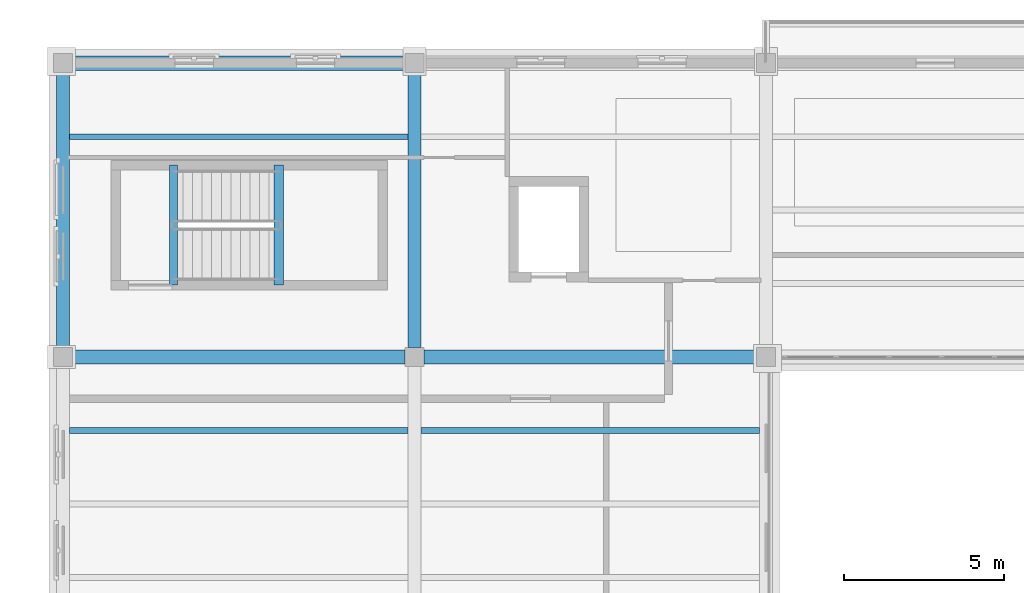
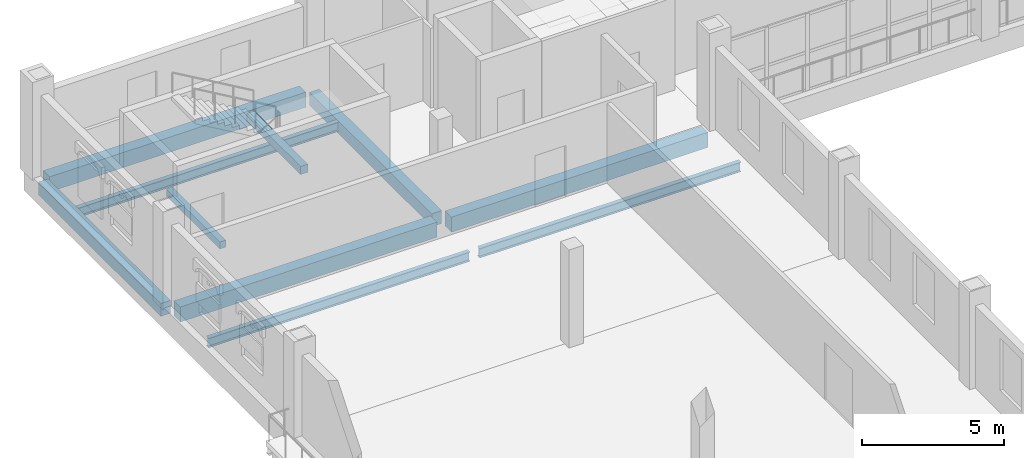
# One storey, part 60 of 120: 10 beams.
"""IFC4 building model written with IfcOpenShell, lengths in metres."""

from ifc_helpers import new_model, si_unit, direction, frame, origin, origin_2d, place, context, subcontext, project, spatial, rectangle, i_section, extrude, material, material_profile, profile_set, type_object, element, save


model = new_model("IFC4")

# Units and contexts
model_context = context("Model", 3, precision=1e-05, world=origin(), true_north=direction((0.0, 1.0)))
body_context = subcontext(model_context, "Body", "Model", "MODEL_VIEW")
ifc_project = project(units=[si_unit("LENGTHUNIT", "METRE"), si_unit("AREAUNIT", "SQUARE_METRE"), si_unit("VOLUMEUNIT", "CUBIC_METRE"), si_unit("PLANEANGLEUNIT", "RADIAN"), si_unit("MASSUNIT", "GRAM", prefix="KILO")], contexts=[model_context])

# Site, building, storey
site_placement = place(None, origin())
site = spatial("IfcSite", under=ifc_project, at=site_placement, CompositionType="ELEMENT")
building_placement = place(site_placement, origin())
building = spatial("IfcBuilding", under=site, at=building_placement, Name="Caurita Quay Ferry Terminal", CompositionType="ELEMENT")
storey_placement = place(building_placement, frame((0.0, 0.0, 9.89990234375)))
storey = spatial("IfcBuildingStorey", under=building, at=storey_placement, Name="L02", CompositionType="ELEMENT", Elevation=9.89990234375)

# Beams
ifc_material_1 = material(Name="Structural steel ASTM A992 Gr. 50", Category="steel")
ifc_material_profile_1 = material_profile(ifc_material_1, i_section(OverallWidth=0.1787109375, OverallDepth=0.408935546875, WebThickness=0.0087890625, FlangeThickness=0.014404296875, FilletRadius=0.011474609375, at=origin_2d()), Name="W16X45")
ifc_profile_set_1 = profile_set([ifc_material_profile_1], Name="Structural steel ASTM A992 Gr. 50")
beam_type_1 = type_object("IfcBeamType", Name="BM-JS-W16A", PredefinedType="JOIST", material=ifc_profile_set_1)
for number, where, z_axis, x_axis, name in (
    (1, (0.199951171875, 105.5, -0.42431640625), (1.0, 0.0, 0.0), (0.0, 1.0, 0.0), "L02 Beam JS-V5-L02-010"),
    (2, (0.199951171875, 114.699951171875, -0.42431640625), (1.0, 0.0, 0.0), (0.0, 1.0, 0.0), "L02 Beam JS-V5-L02-011"),
    (3, (11.199951171875, 105.5, -0.42431640625), (1.0, 0.0, 0.0), (0.0, 1.0, 0.0), "L02 Beam JS-V5-L02-021"),
):
    element("IfcBeam", number, at=place(storey_placement, frame(where, z_axis=z_axis, x_axis=x_axis)), inside=storey, type_object=beam_type_1, Name=name, PredefinedType="JOIST", context=body_context, shape_type="SweptSolid", body=[
        extrude(i_section(OverallWidth=0.1787109375, OverallDepth=0.408935546875, WebThickness=0.0087890625, FlangeThickness=0.014404296875, FilletRadius=0.011474609375, at=origin_2d()), origin(), (0.0, 0.0, 1.0), 10.60009765625),
    ])
ifc_material_2 = material(Name="Reinforced concrete C35/45", Category="concrete")
ifc_material_profile_2 = material_profile(ifc_material_2, rectangle(XDim=0.39990234375, YDim=0.550048828125, at=origin_2d()), Name="RC-BM-400X550")
ifc_profile_set_2 = profile_set([ifc_material_profile_2], Name="Reinforced concrete C35/45")
beam_type_2 = type_object("IfcBeamType", Name="BM-RC-4055", PredefinedType="BEAM", material=ifc_profile_set_2)
for number, where, z_axis, x_axis, name in (
    (4, (0.0, 108.097412109375, -0.494873046875), (0.0, 1.0, 0.0), (-1.0, 0.0, 0.0), "L02 Beam BM-V5-L02-Y-0-1081"),
    (5, (11.0, 108.097412109375, -0.494873046875), (0.0, 1.0, 0.0), (-1.0, 0.0, 0.0), "L02 Beam BM-V5-L02-Y-110-1081"),
):
    element("IfcBeam", number, at=place(storey_placement, frame(where, z_axis=z_axis, x_axis=x_axis)), inside=storey, type_object=beam_type_2, Name=name, PredefinedType="BEAM", context=body_context, shape_type="SweptSolid", body=[
        extrude(rectangle(XDim=0.39990234375, YDim=0.550048828125, at=origin_2d()), origin(), (0.0, 0.0, 1.0), 8.60498046875),
    ])
ifc_material_profile_3 = material_profile(ifc_material_2, rectangle(XDim=0.449951171875, YDim=0.64990234375, at=origin_2d()), Name="RC-BM-450X650")
ifc_profile_set_3 = profile_set([ifc_material_profile_3], Name="Reinforced concrete C35/45")
beam_type_3 = type_object("IfcBeamType", Name="BM-RC-4565", PredefinedType="BEAM", material=ifc_profile_set_3)
for number, where, z_axis, x_axis, name in (
    (6, (0.297607421875, 107.800048828125, -0.544921875), (1.0, 0.0, 0.0), (0.0, 1.0, 0.0), "L02 Beam BM-V5-L02-X-3-1078"),
    (7, (11.297607421875, 107.800048828125, -0.544921875), (1.0, 0.0, 0.0), (0.0, 1.0, 0.0), "L02 Beam BM-V5-L02-X-113-1078"),
    (8, (0.297607421875, 117.0, -0.544921875), (1.0, 0.0, 0.0), (0.0, 1.0, 0.0), "L02 Beam BM-V5-L02-X-3-1170"),
):
    element("IfcBeam", number, at=place(storey_placement, frame(where, z_axis=z_axis, x_axis=x_axis)), inside=storey, type_object=beam_type_3, Name=name, PredefinedType="BEAM", context=body_context, shape_type="SweptSolid", body=[
        extrude(rectangle(XDim=0.449951171875, YDim=0.64990234375, at=origin_2d()), origin(), (0.0, 0.0, 1.0), 10.40478515625),
    ])
ifc_material_profile_4 = material_profile(ifc_material_2, rectangle(XDim=0.25, YDim=0.300048828125, at=origin_2d()), Name="RC-LN-250X300")
ifc_profile_set_4 = profile_set([ifc_material_profile_4], Name="Reinforced concrete C35/45")
beam_type_4 = type_object("IfcBeamType", Name="LN-RC-2530", PredefinedType="LINTEL", material=ifc_profile_set_4)
beam_1_placement = place(storey_placement, frame((3.449951171875, 110.050048828125, -0.14990234375), z_axis=(0.0, 1.0, 0.0), x_axis=(-1.0, 0.0, 0.0)))
element("IfcBeam", 9, at=beam_1_placement, inside=storey, type_object=beam_type_4, Name="L02 Stair ST-01 Landing Trimmer Beam", PredefinedType="LINTEL", context=body_context, shape_type="SweptSolid", body=[
    extrude(rectangle(XDim=0.25, YDim=0.300048828125, at=origin_2d()), origin(), (0.0, 0.0, 1.0), 3.760009765625),
])
ifc_material_profile_5 = material_profile(ifc_material_2, rectangle(XDim=0.300048828125, YDim=0.35009765625, at=origin_2d()), Name="RC-LN-300X350")
ifc_profile_set_5 = profile_set([ifc_material_profile_5], Name="Reinforced concrete C35/45")
beam_type_5 = type_object("IfcBeamType", Name="LN-RC-3035", PredefinedType="LINTEL", material=ifc_profile_set_5)
beam_2_placement = place(storey_placement, frame((6.75, 110.050048828125, 1.925048828125), z_axis=(0.0, 1.0, 0.0), x_axis=(-1.0, 0.0, 0.0)))
element("IfcBeam", 10, at=beam_2_placement, inside=storey, type_object=beam_type_5, Name="L02 Stair ST-01 Half-Landing Beam 1", PredefinedType="LINTEL", context=body_context, shape_type="SweptSolid", body=[
    extrude(rectangle(XDim=0.300048828125, YDim=0.35009765625, at=origin_2d()), origin(), (0.0, 0.0, 1.0), 3.760009765625),
])

save(model, "model.ifc")
